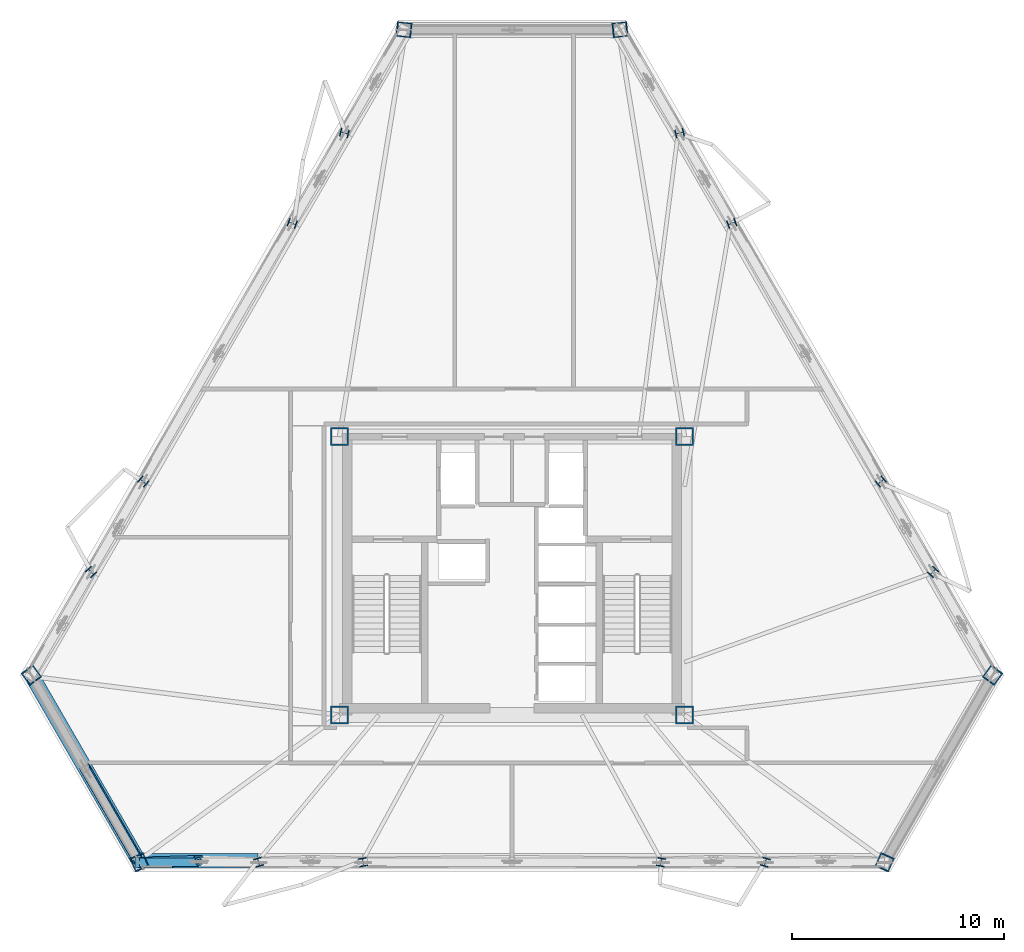
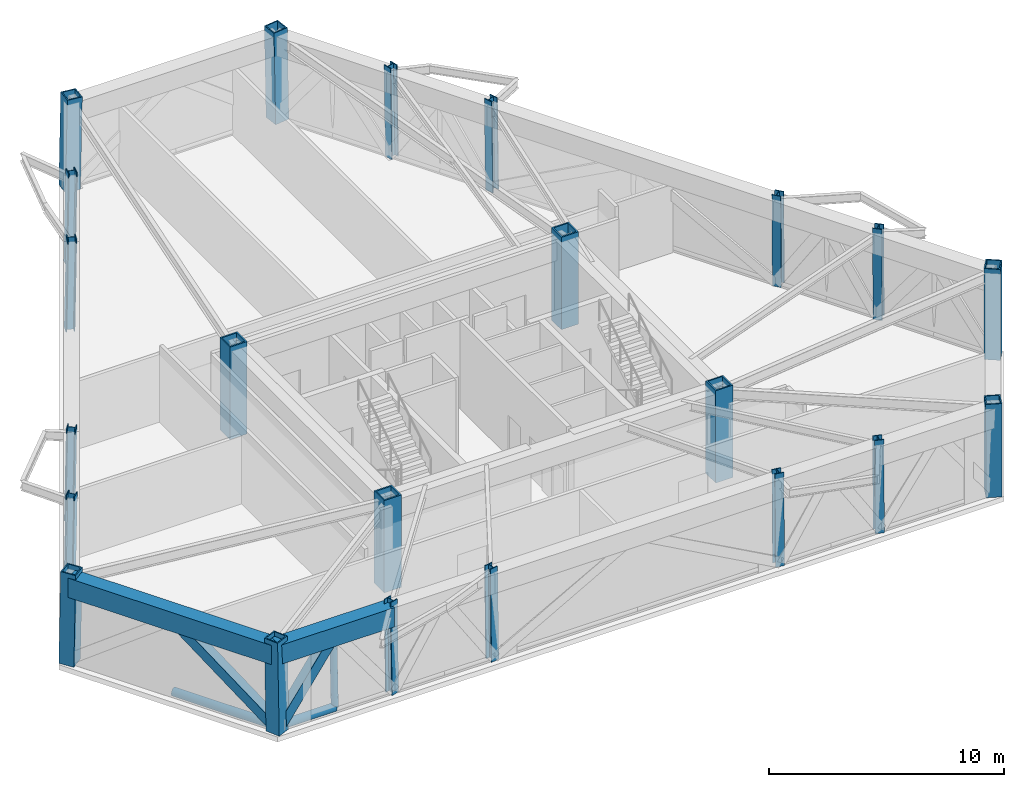
# One storey, part 1 of 11: 22 columns, 5 members, 2 beams.
"""IFC4 building model written with IfcOpenShell, lengths in metres."""

from ifc_helpers import new_model, si_unit, direction, frame, origin, origin_2d, place, context, subcontext, project, spatial, hollow_rectangle, hollow_circle, i_section, extrude, material, material_profile, profile_set, type_object, element, save


model = new_model("IFC4")

# Units and contexts
model_context = context("Model", 3, precision=1e-05, world=origin(), true_north=direction((0.0, 1.0)))
body_context = subcontext(model_context, "Body", "Model", "MODEL_VIEW")
ifc_project = project(units=[si_unit("LENGTHUNIT", "METRE"), si_unit("AREAUNIT", "SQUARE_METRE"), si_unit("VOLUMEUNIT", "CUBIC_METRE"), si_unit("PLANEANGLEUNIT", "RADIAN"), si_unit("MASSUNIT", "GRAM", prefix="KILO")], contexts=[model_context])

# Site, building, storey
site_placement = place(None, origin())
site = spatial("IfcSite", under=ifc_project, at=site_placement, CompositionType="ELEMENT")
building_placement = place(site_placement, origin())
building = spatial("IfcBuilding", under=site, at=building_placement, Name="Oramaril Tower", CompositionType="ELEMENT")
storey_placement = place(building_placement, frame((0.0, 0.0, 133.800048828125)))
storey = spatial("IfcBuildingStorey", under=building, at=storey_placement, Name="L35", CompositionType="ELEMENT", Elevation=133.800048828125)

# Columns
ifc_material_1 = material(Name="Steel ASTM A572 Gr 50", Category="steel")
ifc_material_profile_1 = material_profile(ifc_material_1, hollow_rectangle(XDim=0.85009765625, YDim=0.85009765625, WallThickness=0.070068359375, at=origin_2d()), Name="BOX850X850X70")
ifc_profile_set_1 = profile_set([ifc_material_profile_1], Name="Steel ASTM A572 Gr 50")
column_type_1 = type_object("IfcColumnType", Name="CT-CC3", PredefinedType="COLUMN", material=ifc_profile_set_1)
for number, where, z_axis, x_axis, name in (
    (1, (29.35009765625, 11.0, 0.0), (0.0, 0.0, 1.0), (1.0, 0.0, 0.0), "L35 Core Column CC-1"),
    (2, (45.64990234375, 11.0, 0.0), (0.0, 0.0, 1.0), (1.0, 0.0, 0.0), "L35 Core Column CC-2"),
    (3, (45.64990234375, 24.14990234375, 0.0), (0.0, 0.0, 1.0), (1.0, 0.0, 0.0), "L35 Core Column CC-3"),
    (4, (29.35009765625, 24.14990234375, 0.0), (0.0, 0.0, 1.0), (1.0, 0.0, 0.0), "L35 Core Column CC-4"),
):
    element("IfcColumn", number, at=place(storey_placement, frame(where, z_axis=z_axis, x_axis=x_axis)), inside=storey, type_object=column_type_1, Name=name, PredefinedType="COLUMN", context=body_context, shape_type="SweptSolid", body=[
        extrude(hollow_rectangle(XDim=0.85009765625, YDim=0.85009765625, WallThickness=0.070068359375, at=origin_2d()), origin(), (0.0, 0.0, 1.0), 4.800048828125),
    ])
ifc_material_2 = material(Name="Steel ASTM A572 Gr 50", Category="steel")
ifc_material_profile_2 = material_profile(ifc_material_2, hollow_rectangle(XDim=0.699951171875, YDim=0.699951171875, WallThickness=0.054931640625, at=origin_2d()), Name="BOX700X700X55")
ifc_profile_set_2 = profile_set([ifc_material_profile_2], Name="Steel ASTM A572 Gr 50")
column_type_2 = type_object("IfcColumnType", Name="CT-TC4", PredefinedType="COLUMN", material=ifc_profile_set_2)
for number, where, z_axis, x_axis, name in (
    (5, (14.7939453125, 12.890380859375, 0.00439453125), (0.010750353197, -0.014724417413, 0.999833796907), (0.807647063143, 0.58966619489, 0.0), "L35 Tube Column TC-01"),
    (6, (19.9033203125, 4.040771484375, 0.00439453125), (-0.00738767804, 0.016711437222, 0.999833061105), (-0.914614670073, -0.404326607197, 0.0), "L35 Tube Column TC-02"),
    (7, (55.0966796875, 4.040771484375, 0.00439453125), (0.00738767804, 0.016711437222, 0.999833061105), (-0.914614670073, 0.404326607197, 0.0), "L35 Tube Column TC-03"),
    (8, (60.2060546875, 12.890380859375, 0.00439453125), (-0.010750353197, -0.014724417413, 0.999833796907), (0.807647063143, -0.58966619489, 0.0), "L35 Tube Column TC-04"),
    (9, (42.609375, 43.368896484375, 0.00439453125), (-0.018138033426, -0.00193608222, 0.999833617823), (0.106138626428, -0.994351342323, 0.0), "L35 Tube Column TC-05"),
    (10, (32.390625, 43.368896484375, 0.00439453125), (0.018138033426, -0.00193608222, 0.999833617823), (0.106138626428, 0.994351342323, 0.0), "L35 Tube Column TC-06"),
):
    element("IfcColumn", number, at=place(storey_placement, frame(where, z_axis=z_axis, x_axis=x_axis)), inside=storey, type_object=column_type_2, Name=name, PredefinedType="COLUMN", context=body_context, shape_type="SweptSolid", body=[
        extrude(hollow_rectangle(XDim=0.699951171875, YDim=0.699951171875, WallThickness=0.054931640625, at=origin_2d()), origin(), (0.0, 0.0, 1.0), 4.791748046875),
    ])
ifc_material_3 = material(Name="Steel ASTM A572 Gr 50", Category="steel")
ifc_material_profile_3 = material_profile(ifc_material_3, i_section(OverallWidth=0.404052734375, OverallDepth=0.406005859375, WebThickness=0.027099609375, FlangeThickness=0.043701171875, at=origin_2d()), Name="W14X233")
ifc_profile_set_3 = profile_set([ifc_material_profile_3], Name="Steel ASTM A572 Gr 50")
column_type_3 = type_object("IfcColumnType", Name="CT-TF3", PredefinedType="COLUMN", material=ifc_profile_set_3)
for number, where, z_axis, x_axis, name in (
    (11, (25.5341796875, 4.040771484375, 0.00439453125), (-0.004993125382, 0.016711684951, 0.999847882573), (-0.958147283217, -0.286275712668, 0.0), "L35 Tube Column TC-07"),
    (12, (30.461181640625, 4.040771484375, 0.00439453125), (-0.002904188718, 0.0167118228, 0.999856129984), (-0.985233792621, -0.171214409084, 0.0), "L35 Tube Column TC-08"),
    (13, (44.538818359375, 4.040771484375, 0.00439453125), (0.002904188718, 0.0167118228, 0.999856129984), (-0.985233792621, 0.171214409084, 0.0), "L35 Tube Column TC-09"),
    (14, (49.4658203125, 4.040771484375, 0.00439453125), (0.004993125382, 0.016711684951, 0.999847882573), (-0.958147283217, 0.286275712668, 0.0), "L35 Tube Column TC-10"),
    (15, (57.390625, 17.76708984375, 0.00439453125), (-0.011922367275, -0.012686621588, 0.999848441911), (0.728715292161, -0.684816780585, 0.0), "L35 Tube Column TC-11"),
    (16, (54.927001953125, 22.033935546875, 0.00439453125), (-0.012941481286, -0.010903452737, 0.999856806138), (0.644321159867, -0.764755021525, 0.0), "L35 Tube Column TC-12"),
    (17, (47.888427734375, 34.225341796875, 0.00439453125), (-0.015947559879, -0.005808376442, 0.999855958675), (0.342225087016, -0.939618002071, 0.0), "L35 Tube Column TC-13"),
    (18, (45.4248046875, 38.4921875, 0.00439453125), (-0.016966440981, -0.003974121311, 0.999848161593), (0.228061401315, -0.973646751769, 0.0), "L35 Tube Column TC-14"),
    (19, (29.5751953125, 38.4921875, 0.00439453125), (0.016966440981, -0.003974121311, 0.999848161593), (0.228061401315, 0.973646751769, 0.0), "L35 Tube Column TC-15"),
    (20, (27.111572265625, 34.225341796875, 0.00439453125), (0.015947559879, -0.005808376442, 0.999855958675), (0.342225087016, 0.939618002071, 0.0), "L35 Tube Column TC-16"),
    (21, (20.072998046875, 22.033935546875, 0.00439453125), (0.012941481286, -0.010903452737, 0.999856806138), (0.644321159867, 0.764755021525, 0.0), "L35 Tube Column TC-17"),
    (22, (17.609375, 17.76708984375, 0.00439453125), (0.011922367275, -0.012686621588, 0.999848441911), (0.728715292161, 0.684816780585, 0.0), "L35 Tube Column TC-18"),
):
    element("IfcColumn", number, at=place(storey_placement, frame(where, z_axis=z_axis, x_axis=x_axis)), inside=storey, type_object=column_type_3, Name=name, PredefinedType="COLUMN", context=body_context, shape_type="SweptSolid", body=[
        extrude(i_section(OverallWidth=0.404052734375, OverallDepth=0.406005859375, WebThickness=0.027099609375, FlangeThickness=0.043701171875, at=origin_2d()), origin(), (0.0, 0.0, 1.0), 4.791748046875),
    ])

# Beams
ifc_material_4 = material(Name="Steel ASTM A572 Gr 50", Category="steel")
ifc_material_profile_4 = material_profile(ifc_material_4, hollow_rectangle(XDim=0.699951171875, YDim=1.0, WallThickness=0.06494140625, at=origin_2d()), Name="BOX1000X700X65")
ifc_profile_set_4 = profile_set([ifc_material_profile_4], Name="Steel ASTM A572 Gr 50")
beam_type = type_object("IfcBeamType", Name="BT-BT1", PredefinedType="BEAM", material=ifc_profile_set_4)
beam_1_placement = place(storey_placement, frame((14.845458984375, 12.81982421875, 4.06005859375), z_axis=(0.500007885066, -0.866020851292, 0.0), x_axis=(0.866020851292, 0.500007885066, 0.0)))
element("IfcBeam", 23, at=beam_1_placement, inside=storey, type_object=beam_type, Name="L35 Perimeter Spandrel 01", PredefinedType="BEAM", context=body_context, shape_type="SweptSolid", body=[
    extrude(hollow_rectangle(XDim=0.699951171875, YDim=1.0, WallThickness=0.06494140625, at=origin_2d()), origin(), (0.0, 0.0, 1.0), 10.044677734375),
])
beam_2_placement = place(storey_placement, frame((19.867919921875, 4.120849609375, 4.06005859375), z_axis=(1.0, 0.0, 0.0), x_axis=(0.0, 1.0, 0.0)))
element("IfcBeam", 24, at=beam_2_placement, inside=storey, type_object=beam_type, Name="L35 Perimeter Spandrel 02", PredefinedType="BEAM", context=body_context, shape_type="SweptSolid", body=[
    extrude(hollow_rectangle(XDim=0.699951171875, YDim=1.0, WallThickness=0.06494140625, at=origin_2d()), origin(), (0.0, 0.0, 1.0), 5.642333984375),
])

# Members
ifc_material_5 = material(Name="Steel ASTM A572 Gr 50", Category="steel")
ifc_material_profile_5 = material_profile(ifc_material_5, hollow_circle(Radius=0.202880859375, WallThickness=0.01611328125, at=origin_2d()), Name="CHS406X16")
ifc_profile_set_5 = profile_set([ifc_material_profile_5], Name="Steel ASTM A572 Gr 50")
member_type_1 = type_object("IfcMemberType", Name="MT-CH1", PredefinedType="CHORD", material=ifc_profile_set_5)
member_1_placement = place(storey_placement, frame((17.3486328125, 8.465576171875, 0.2099609375), z_axis=(0.500003717096, -0.866023257707, 0.0), x_axis=(0.866023257707, 0.500003717096, 0.0)))
element("IfcMember", 25, at=member_1_placement, inside=storey, type_object=member_type_1, Name="L35 Belt Truss Chord 01B", PredefinedType="CHORD", context=body_context, shape_type="SweptSolid", body=[
    extrude(hollow_circle(Radius=0.202880859375, WallThickness=0.01611328125, at=origin_2d()), origin(), (0.0, 0.0, 1.0), 5.109375),
])
member_2_placement = place(storey_placement, frame((19.9033203125, 4.040771484375, 0.2099609375), z_axis=(1.0, 0.0, 0.0), x_axis=(0.0, 1.0, 0.0)))
element("IfcMember", 26, at=member_2_placement, inside=storey, type_object=member_type_1, Name="L35 Belt Truss Chord 02A", PredefinedType="CHORD", context=body_context, shape_type="SweptSolid", body=[
    extrude(hollow_circle(Radius=0.202880859375, WallThickness=0.01611328125, at=origin_2d()), origin(), (0.0, 0.0, 1.0), 2.8154296875),
])
ifc_material_6 = material(Name="Steel ASTM A572 Gr 50", Category="steel")
ifc_material_profile_6 = material_profile(ifc_material_6, hollow_circle(Radius=0.162109375, WallThickness=0.011962890625, at=origin_2d()), Name="CHS324X12")
ifc_profile_set_6 = profile_set([ifc_material_profile_6], Name="Steel ASTM A572 Gr 50")
member_type_2 = type_object("IfcMemberType", Name="MT-ST1", PredefinedType="STRUT", material=ifc_profile_set_6)
member_3_placement = place(storey_placement, frame((22.71875, 4.040771484375, 0.2099609375), z_axis=(-0.007670911671, 0.020793876264, 0.999754355741), x_axis=(-0.938196526554, -0.34610298693, 0.0)))
element("IfcMember", 27, at=member_3_placement, inside=storey, type_object=member_type_2, Name="L35 Belt Truss Strut 02", PredefinedType="STRUT", context=body_context, shape_type="SweptSolid", body=[
    extrude(hollow_circle(Radius=0.162109375, WallThickness=0.011962890625, at=origin_2d()), origin(), (0.0, 0.0, 1.0), 3.85107421875),
])
ifc_material_7 = material(Name="Steel ASTM A572 Gr 50", Category="steel")
ifc_material_profile_7 = material_profile(ifc_material_7, hollow_rectangle(XDim=0.5, YDim=0.5, WallThickness=0.02490234375, at=origin_2d()), Name="HSS500X500X25")
ifc_profile_set_7 = profile_set([ifc_material_profile_7], Name="Steel ASTM A572 Gr 50")
member_type_3 = type_object("IfcMemberType", Name="MT-TD1", PredefinedType="BRACE", material=ifc_profile_set_7)
member_4_placement = place(storey_placement, frame((19.9033203125, 4.040771484375, 0.2099609375), z_axis=(-0.398063926329, 0.692366390124, 0.601808850369), x_axis=(-0.866931596318, -0.498427133396, 0.0)))
element("IfcMember", 28, at=member_4_placement, inside=storey, type_object=member_type_3, Name="L35 Truss Diagonal 01B", PredefinedType="BRACE", context=body_context, shape_type="SweptSolid", body=[
    extrude(hollow_rectangle(XDim=0.5, YDim=0.5, WallThickness=0.02490234375, at=origin_2d()), origin(), (0.0, 0.0, 1.0), 6.3974609375),
])
member_5_placement = place(storey_placement, frame((19.9033203125, 4.040771484375, 0.2099609375), z_axis=(0.586134879534, 0.016847974804, 0.810038300785), x_axis=(-0.028732326913, 0.999587141469, 0.0)))
element("IfcMember", 29, at=member_5_placement, inside=storey, type_object=member_type_3, Name="L35 Truss Diagonal 02A", PredefinedType="BRACE", context=body_context, shape_type="SweptSolid", body=[
    extrude(hollow_rectangle(XDim=0.5, YDim=0.5, WallThickness=0.02490234375, at=origin_2d()), origin(), (0.0, 0.0, 1.0), 4.7529296875),
])

save(model, "model.ifc")
